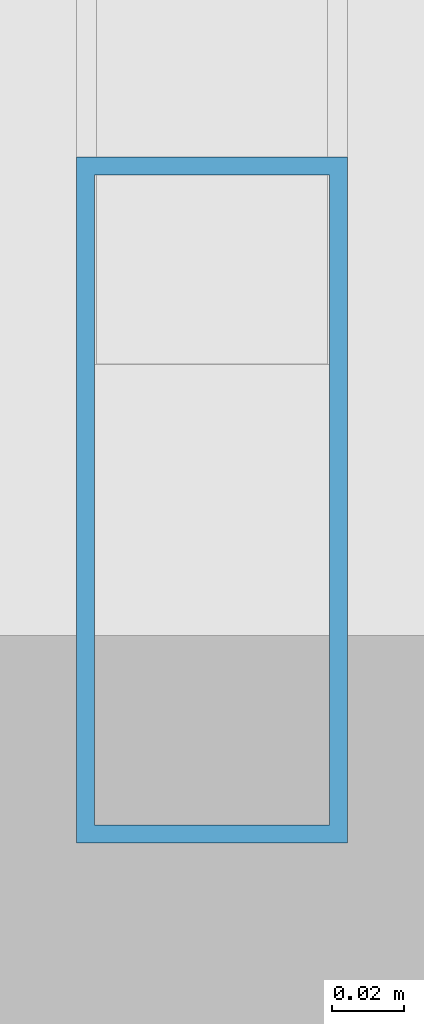
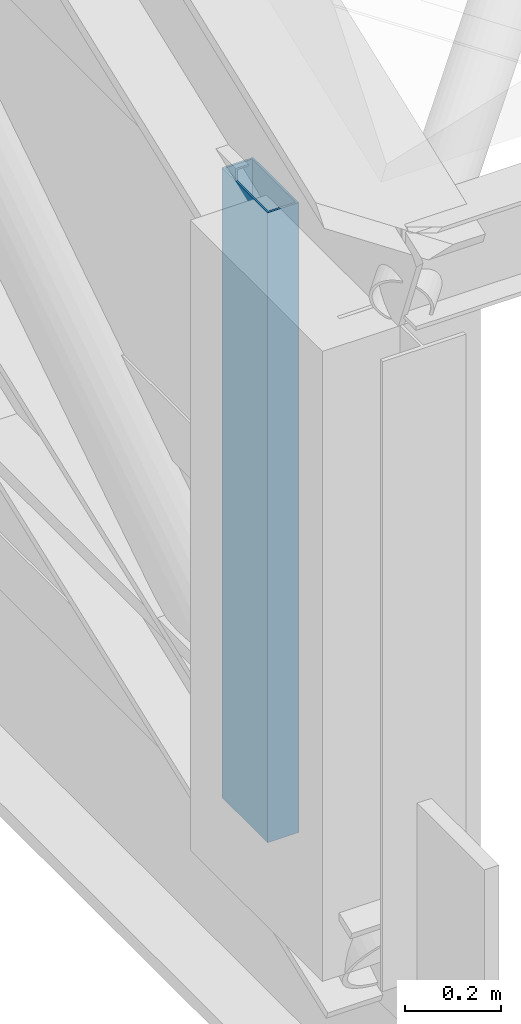
# One storey, part 69 of 204: 1 member, 1 element without a shape of its own.
"""IFC4 building model written with IfcOpenShell, lengths in metres."""

from ifc_helpers import new_model, si_unit, direction, frame, origin, origin_2d, place, context, subcontext, project, spatial, hollow_rectangle, extrude, material, layer, layer_set, material_profile, profile_set, type_object, element, aggregate, save


model = new_model("IFC4")

# Units and contexts
model_context = context("Model", 3, precision=1e-05, world=origin(), true_north=direction((0.0, 1.0)))
body_context = subcontext(model_context, "Body", "Model", "MODEL_VIEW")
ifc_project = project(units=[si_unit("LENGTHUNIT", "METRE"), si_unit("AREAUNIT", "SQUARE_METRE"), si_unit("VOLUMEUNIT", "CUBIC_METRE"), si_unit("PLANEANGLEUNIT", "RADIAN"), si_unit("MASSUNIT", "GRAM", prefix="KILO")], contexts=[model_context])

# Site, building, storey
site_placement = place(None, origin())
site = spatial("IfcSite", under=ifc_project, at=site_placement, CompositionType="ELEMENT")
building_placement = place(site_placement, origin())
building = spatial("IfcBuilding", under=site, at=building_placement, Name="Zilviju Railside Exhibition Hall", CompositionType="ELEMENT")
storey_placement = place(building_placement, frame((0.0, 0.0, 21.0)))
storey = spatial("IfcBuildingStorey", under=building, at=storey_placement, Name="RF", CompositionType="ELEMENT", Elevation=21.0)

# Curtain wall, member
ifc_material_1 = material(Name="Thermally broken aluminium-steel triple-glazed curtain wall", Category="steel")
ifc_layer = layer(ifc_material_1, 0.179931640625)
ifc_layer_set = layer_set([ifc_layer], Name="Thermally broken aluminium-steel triple-glazed curtain wall")
curtain_wall_type = type_object("IfcCurtainWallType", Name="CW-BAY-19", PredefinedType="USERDEFINED", material=ifc_layer_set)
curtain_wall_placement = place(storey_placement, origin())
curtain_wall = element("IfcCurtainWall", 1, at=curtain_wall_placement, inside=storey, type_object=curtain_wall_type, Name="North Hall Arch Lower Tympanum Glazing West P1", ObjectType="GLAZED CURTAIN WALL", PredefinedType="USERDEFINED")
ifc_material_2 = material(Name="Thermally broken anodized aluminium mullion", Category="aluminium")
ifc_material_profile = material_profile(ifc_material_2, hollow_rectangle(XDim=0.074951171875, YDim=0.18994140625, WallThickness=0.0048828125, at=origin_2d()), Name="MULLION 190x75x5")
ifc_profile_set = profile_set([ifc_material_profile], Name="Thermally broken anodized aluminium mullion")
member_type = type_object("IfcMemberType", Name="CWM-75x190", PredefinedType="MULLION", material=ifc_profile_set)
member_placement = place(storey_placement, frame((78.0, 84.58740234375, -3.60009765625), z_axis=(0.0, 0.0, 1.0), x_axis=(-1.0, 0.0, 0.0)))
member = element("IfcMember", 2, at=member_placement, type_object=member_type, Name="CW-19 mullion 1", PredefinedType="MULLION", context=body_context, shape_type="SweptSolid", body=[
    extrude(hollow_rectangle(XDim=0.074951171875, YDim=0.18994140625, WallThickness=0.0048828125, at=origin_2d()), origin(), (0.0, 0.0, 1.0), 1.60009765625),
])
aggregate(curtain_wall, [member])

save(model, "model.ifc")
